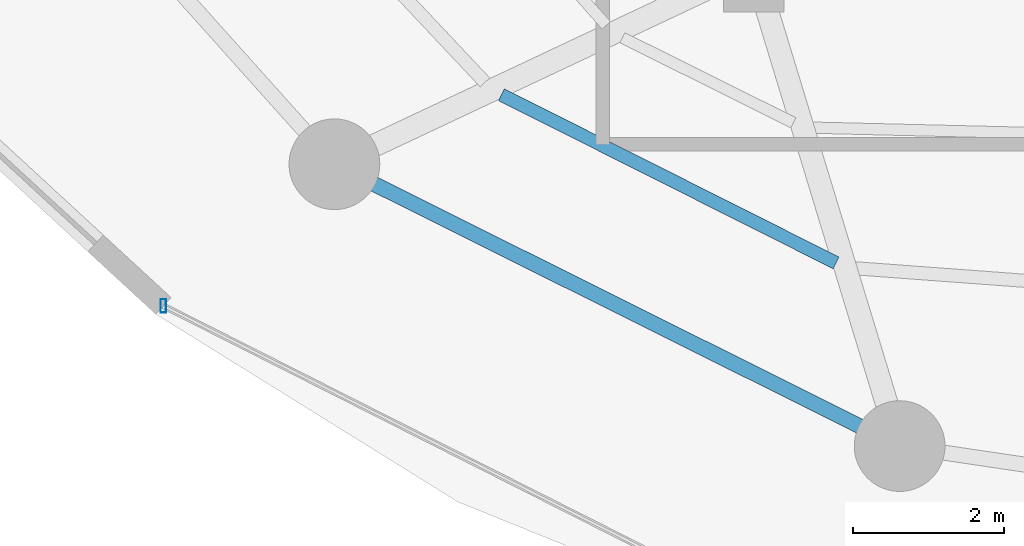
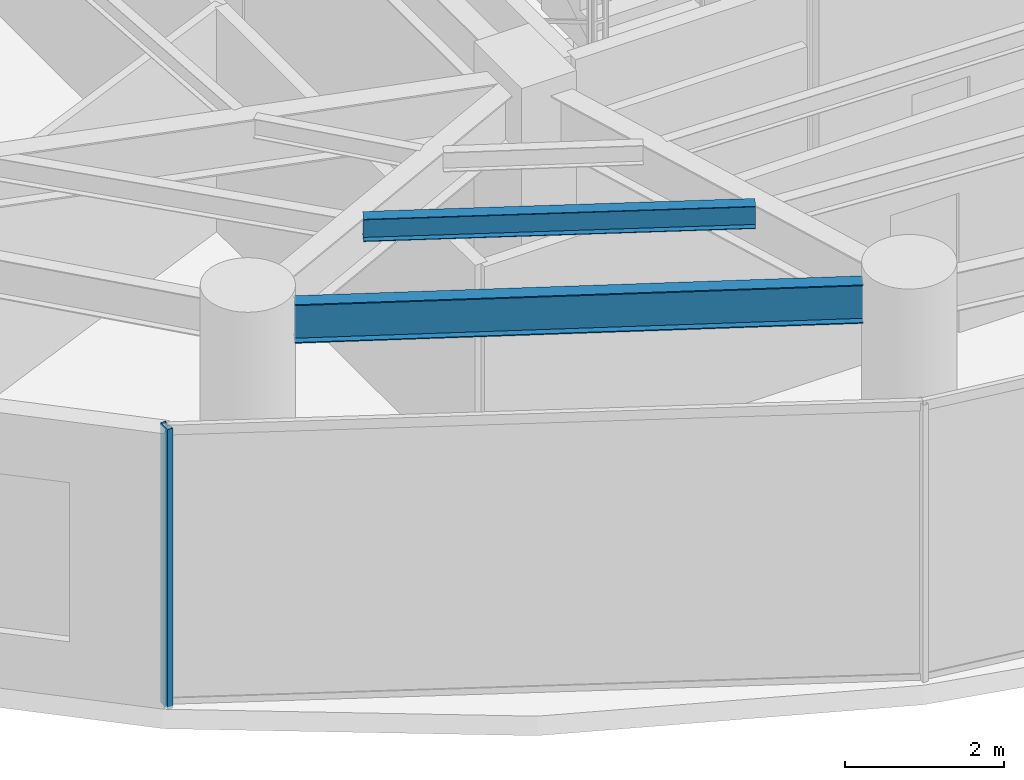
# One storey, part 2 of 27: 2 beams, 1 member, 1 element without a shape of its own.
"""IFC4 building model written with IfcOpenShell, lengths in metres."""

import ifcopenshell
import ifcopenshell.guid

model = None  # the IFC model being written
_history = None  # IfcOwnerHistory: only IFC2X3 demands one
_inside = {}  # id of a spatial element -> (the spatial element, [elements in it])
_under = {}  # id of a project, library or spatial element -> (it, [spatial elements below it])
_declared = {}  # id of a project -> (the project, [libraries it declares])
_typed = {}  # id of a type object -> (the type object, [elements of that type])
_made_of = {}  # id of a material, layer set ... -> (it, [elements and type objects made of it])


def new_model(schema):
    """Start an empty IFC model of exactly this schema.

    Asked for "IFC4X3", IfcOpenShell would pick the latest addendum, in which some entities
    have other attributes; the version numbers below select the first issue.
    IFC2X3 requires an IfcOwnerHistory on every rooted entity: one is made here for all.
    """
    global model, _history
    if schema == "IFC4X3":
        model = ifcopenshell.file(schema_version=(4, 3, 0, 0))
    else:
        model = ifcopenshell.file(schema=schema)
    _inside.clear()
    _under.clear()
    _declared.clear()
    _typed.clear()
    _made_of.clear()
    _history = None
    if model.schema == "IFC2X3":
        org = make("IfcOrganization", Name="unknown")
        user = make(
            "IfcPersonAndOrganization",
            ThePerson=make("IfcPerson", FamilyName="unknown"),
            TheOrganization=org,
        )
        app = make(
            "IfcApplication",
            ApplicationDeveloper=org,
            Version="unknown",
            ApplicationFullName="unknown",
            ApplicationIdentifier="unknown",
        )
        _history = make(
            "IfcOwnerHistory",
            OwningUser=user,
            OwningApplication=app,
            ChangeAction="ADDED",
            CreationDate=0,
        )
    return model


def make(cls, **values):
    """One entity of the class cls with the attributes given. An attribute that is None is left unset."""
    return model.create_entity(
        cls, **{name: value for name, value in values.items() if value is not None}
    )


def rooted(cls, **values):
    """An entity with a GlobalId (a new one), such as an element, a storey or a relation."""
    return make(cls, GlobalId=ifcopenshell.guid.new(), OwnerHistory=_history, **values)


def si_unit(unit_type, name, prefix=None):
    """IfcSIUnit, for example si_unit("LENGTHUNIT", "METRE", prefix="MILLI")."""
    return make("IfcSIUnit", UnitType=unit_type, Prefix=prefix, Name=name)


def assignment(units):
    """IfcUnitAssignment: the units of a project."""
    return None if units is None else make("IfcUnitAssignment", Units=units)


def point(xyz):
    """IfcCartesianPoint."""
    return None if xyz is None else make("IfcCartesianPoint", Coordinates=xyz)


def direction(xyz):
    """IfcDirection."""
    return None if xyz is None else make("IfcDirection", DirectionRatios=xyz)


def frame(location, z_axis=None, x_axis=None):
    """IfcAxis2Placement3D, a coordinate frame: its origin and axes. An axis left out is left unset."""
    return make(
        "IfcAxis2Placement3D",
        Location=point(location),
        Axis=direction(z_axis),
        RefDirection=direction(x_axis),
    )


def frame_2d(location, x_axis=None):
    """IfcAxis2Placement2D, a coordinate frame in the plane: its origin and x axis."""
    return make(
        "IfcAxis2Placement2D", Location=point(location), RefDirection=direction(x_axis)
    )


def origin():
    """The frame at (0, 0, 0) with its axes left unset."""
    return frame((0.0, 0.0, 0.0))


def origin_2d():
    """The frame at (0, 0) in the plane with its x axis left unset."""
    return frame_2d((0.0, 0.0))


def place(relative_to, where):
    """IfcLocalPlacement: puts the frame where relative to a parent placement (None: the world)."""
    return make(
        "IfcLocalPlacement", PlacementRelTo=relative_to, RelativePlacement=where
    )


def context(
    kind, dimensions, precision=None, world=None, true_north=None, identifier=None
):
    """IfcGeometricRepresentationContext, for example the 3D "Model" context."""
    return make(
        "IfcGeometricRepresentationContext",
        ContextIdentifier=identifier,
        ContextType=kind,
        CoordinateSpaceDimension=dimensions,
        Precision=precision,
        WorldCoordinateSystem=world,
        TrueNorth=true_north,
    )


def subcontext(parent, identifier, kind, view, scale=None):
    """IfcGeometricRepresentationSubContext, for example "Body" below "Model"."""
    return make(
        "IfcGeometricRepresentationSubContext",
        ContextIdentifier=identifier,
        ContextType=kind,
        ParentContext=parent,
        TargetScale=scale,
        TargetView=view,
    )


def project(units=None, contexts=None):
    """IfcProject with its units and contexts."""
    return rooted(
        "IfcProject",
        Name="project",
        RepresentationContexts=contexts,
        UnitsInContext=assignment(units),
    )


def spatial(cls, under=None, at=None, **own):
    """A site, building, storey or space (cls), placed at a placement, below another one or the project."""
    s = rooted(cls, ObjectPlacement=at, **own)
    if under is not None:
        _under.setdefault(under.id(), (under, []))[1].append(s)
    return s


def profile(cls, at=None, kind="AREA", **sizes):
    """A parametric profile (cls). Its sizes go by their IFC names, for example OverallWidth=200.0."""
    return make(cls, ProfileType=kind, Position=at, **sizes)


def hollow_rectangle(**sizes):
    """IfcRectangleHollowProfileDef."""
    return profile("IfcRectangleHollowProfileDef", **sizes)


def i_section(**sizes):
    """IfcIShapeProfileDef."""
    return profile("IfcIShapeProfileDef", **sizes)


def extrude(swept, where, along, depth):
    """IfcExtrudedAreaSolid: the profile swept, set in the frame where, extruded along a direction by depth."""
    return make(
        "IfcExtrudedAreaSolid",
        SweptArea=swept,
        Position=where,
        ExtrudedDirection=direction(along),
        Depth=depth,
    )


def shape(context_of_items, identifier, shape_type, items):
    """IfcShapeRepresentation: the items that make up one representation, for example the "Body"."""
    return make(
        "IfcShapeRepresentation",
        ContextOfItems=context_of_items,
        RepresentationIdentifier=identifier,
        RepresentationType=shape_type,
        Items=items,
    )


def material(Name=None, Category=None):
    """IfcMaterial."""
    return make("IfcMaterial", Name=Name, Category=Category)


def material_profile(
    of_material, cross_section, Name=None, Category=None, Priority=None
):
    """IfcMaterialProfile: a cross section and its material."""
    return make(
        "IfcMaterialProfile",
        Name=Name,
        Material=of_material,
        Profile=cross_section,
        Priority=Priority,
        Category=Category,
    )


def profile_set(profiles, Name=None, composite=None):
    """IfcMaterialProfileSet."""
    return make(
        "IfcMaterialProfileSet",
        Name=Name,
        MaterialProfiles=profiles,
        CompositeProfile=composite,
    )


def made_of(thing, what):
    """Note that an element or type object is made of a material, layer set ...; save() writes the relation."""
    if what is not None:
        _made_of.setdefault(what.id(), (what, []))[1].append(thing)
    return thing


def type_object(cls, material=None, **own):
    """A type object (cls), such as IfcWallType, which elements share."""
    return made_of(rooted(cls, **own), material)


def element(
    cls,
    number,
    at=None,
    inside=None,
    cuts=None,
    type_object=None,
    material=None,
    context=None,
    identifier="Body",
    shape_type=None,
    held_by="IfcProductDefinitionShape",
    body=None,
    shapes=None,
    **own,
):
    """One element of the class cls, such as IfcWall. Its Tag is "e" and its number.

    at: its placement. inside: the storey or other place that contains it. cuts: it is an
    opening in that element (IfcRelVoidsElement). A single representation is given by context,
    identifier, shape_type and body (its items); several are given by shapes. held_by: the class
    of the entity that holds the representations. save() writes the other relations.
    """
    e = rooted(cls, Tag="e%d" % number, ObjectPlacement=at, **own)
    if body is not None:
        shapes = [shape(context, identifier, shape_type, body)]
    if shapes is not None:
        e.Representation = make(held_by, Representations=shapes)
    if inside is not None:
        _inside.setdefault(inside.id(), (inside, []))[1].append(e)
    if cuts is not None:
        rooted(
            "IfcRelVoidsElement", RelatingBuildingElement=cuts, RelatedOpeningElement=e
        )
    if type_object is not None:
        _typed.setdefault(type_object.id(), (type_object, []))[1].append(e)
    return made_of(e, material)


def aggregate(whole, parts):
    """IfcRelAggregates: a whole, such as a stair, and the parts it consists of."""
    return rooted("IfcRelAggregates", RelatingObject=whole, RelatedObjects=parts)


def save(model, path):
    """Write the relations noted so far, then the file.

    IfcRelAggregates (storeys below a building ...), IfcRelContainedInSpatialStructure (elements
    in a storey), IfcRelDefinesByType, IfcRelAssociatesMaterial and IfcRelDeclares: one each for
    every whole, place, type object, material and project.
    """
    for whole, parts in _under.values():
        aggregate(whole, parts)
    for where, things in _inside.values():
        rooted(
            "IfcRelContainedInSpatialStructure",
            RelatedElements=things,
            RelatingStructure=where,
        )
    for kind, things in _typed.values():
        rooted("IfcRelDefinesByType", RelatedObjects=things, RelatingType=kind)
    for what, things in _made_of.values():
        rooted("IfcRelAssociatesMaterial", RelatedObjects=things, RelatingMaterial=what)
    for by, libraries in _declared.values():
        rooted("IfcRelDeclares", RelatingContext=by, RelatedDefinitions=libraries)
    model.write(path)


model = new_model("IFC4")

# Units and contexts
model_context = context("Model", 3, precision=1e-05, world=origin(), true_north=direction((0.0, 1.0)))
body_context = subcontext(model_context, "Body", "Model", "MODEL_VIEW")
ifc_project = project(units=[si_unit("LENGTHUNIT", "METRE"), si_unit("AREAUNIT", "SQUARE_METRE"), si_unit("VOLUMEUNIT", "CUBIC_METRE"), si_unit("PLANEANGLEUNIT", "RADIAN"), si_unit("MASSUNIT", "GRAM", prefix="KILO")], contexts=[model_context])

# Site, building, storey
site_placement = place(None, origin())
site = spatial("IfcSite", under=ifc_project, at=site_placement, CompositionType="ELEMENT")
building_placement = place(site_placement, origin())
building = spatial("IfcBuilding", under=site, at=building_placement, Name="Vorneva Point Tower", CompositionType="ELEMENT")
storey_placement = place(building_placement, frame((0.0, 0.0, 74.300048828125)))
storey = spatial("IfcBuildingStorey", under=building, at=storey_placement, Name="L19", CompositionType="ELEMENT", Elevation=74.300048828125)

# Beams
ifc_material_1 = material(Name="Steel S355", Category="steel")
ifc_material_profile_1 = material_profile(ifc_material_1, i_section(OverallWidth=0.174072265625, OverallDepth=0.345947265625, WebThickness=0.006103515625, FlangeThickness=0.009033203125, at=origin_2d()), Name="35B1")
ifc_profile_set_1 = profile_set([ifc_material_profile_1], Name="Steel S355")
beam_type_1 = type_object("IfcBeamType", Name="BM-SEC-35B1", PredefinedType="BEAM", material=ifc_profile_set_1)
beam_1_placement = place(storey_placement, frame((23.910400390625, 14.7578125, 4.06689453125), z_axis=(0.893518627335, -0.449026126863, 0.0), x_axis=(0.449026126863, 0.893518627335, 0.0)))
element("IfcBeam", 1, at=beam_1_placement, inside=storey, type_object=beam_type_1, Name="L19 Secondary Floor Beam 1.11", PredefinedType="BEAM", context=body_context, shape_type="SweptSolid", body=[
    extrude(i_section(OverallWidth=0.174072265625, OverallDepth=0.345947265625, WebThickness=0.006103515625, FlangeThickness=0.009033203125, at=origin_2d()), origin(), (0.0, 0.0, 1.0), 4.954345703125),
])
ifc_material_profile_2 = material_profile(ifc_material_1, i_section(OverallWidth=0.198974609375, OverallDepth=0.595947265625, WebThickness=0.010009765625, FlangeThickness=0.014892578125, at=origin_2d()), Name="60B1")
ifc_profile_set_2 = profile_set([ifc_material_profile_2], Name="Steel S355")
beam_type_2 = type_object("IfcBeamType", Name="BM-SPN-60B1", PredefinedType="SPANDREL", material=ifc_profile_set_2)
beam_2_placement = place(storey_placement, frame((22.224609375, 13.576904296875, 3.94189453125), z_axis=(0.894922668731, -0.446221264611, 0.0), x_axis=(0.446221264611, 0.894922668731, 0.0)))
element("IfcBeam", 2, at=beam_2_placement, inside=storey, type_object=beam_type_2, Name="L19 Perimeter Spandrel Ring Beam 11", PredefinedType="SPANDREL", context=body_context, shape_type="SweptSolid", body=[
    extrude(i_section(OverallWidth=0.198974609375, OverallDepth=0.595947265625, WebThickness=0.010009765625, FlangeThickness=0.014892578125, at=origin_2d()), origin(), (0.0, 0.0, 1.0), 7.18603515625),
])

# Curtain wall, member
ifc_material_2 = material(Name="Pale anodised aluminium", Category="aluminium")
curtain_wall_type = type_object("IfcCurtainWallType", Name="CW-SKY-SYS", PredefinedType="NOTDEFINED", material=ifc_material_2)
curtain_wall_placement = place(storey_placement, origin())
curtain_wall = element("IfcCurtainWall", 3, at=curtain_wall_placement, inside=storey, type_object=curtain_wall_type, Name="L19 Unitised Curtain Wall CW-L19-R04", PredefinedType="NOTDEFINED")
ifc_material_profile_3 = material_profile(ifc_material_2, hollow_rectangle(XDim=0.074951171875, YDim=0.179931640625, WallThickness=0.00390625, at=origin_2d()), Name="AL-MUL 180x75x4")
ifc_profile_set_3 = profile_set([ifc_material_profile_3], Name="Pale anodised aluminium")
member_type = type_object("IfcMemberType", Name="CW-MUL-180", PredefinedType="MULLION", material=ifc_profile_set_3)
member_placement = place(storey_placement, frame((19.4384765625, 11.9638671875, -0.0400390625), z_axis=(0.0, 0.0, 1.0), x_axis=(1.0, 0.0, 0.0)))
member = element("IfcMember", 4, at=member_placement, type_object=member_type, Name="CW-L19-R04 Mullion 01", PredefinedType="MULLION", context=body_context, shape_type="SweptSolid", body=[
    extrude(hollow_rectangle(XDim=0.074951171875, YDim=0.179931640625, WallThickness=0.00390625, at=origin_2d()), origin(), (0.0, 0.0, 1.0), 4.31005859375),
])
aggregate(curtain_wall, [member])

save(model, "model.ifc")
